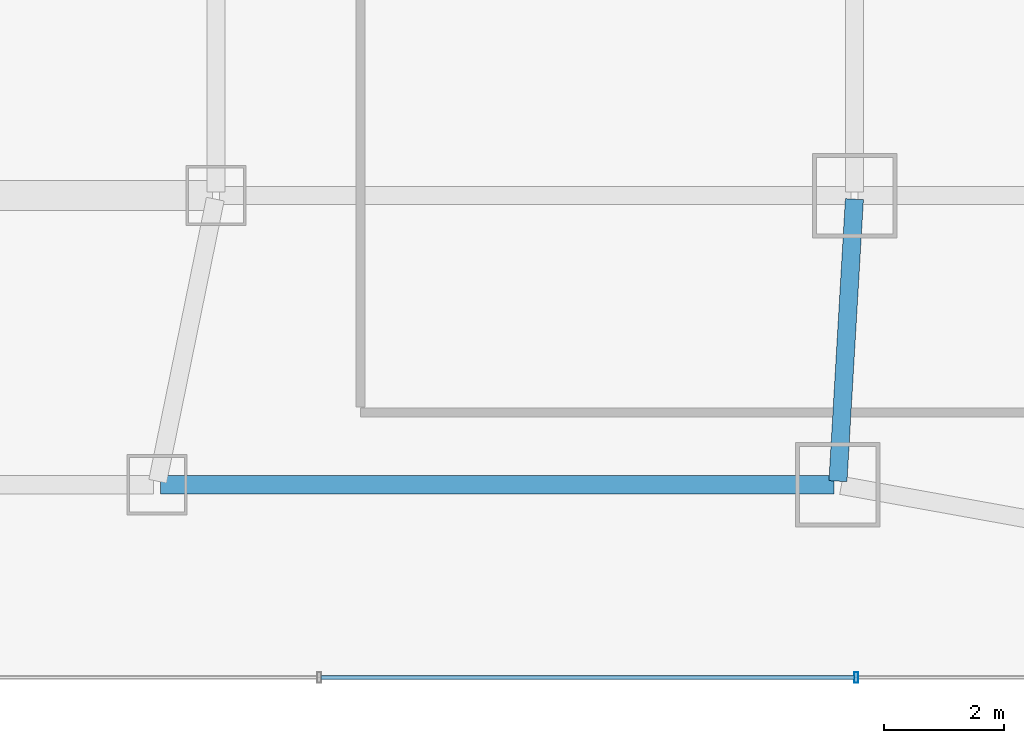
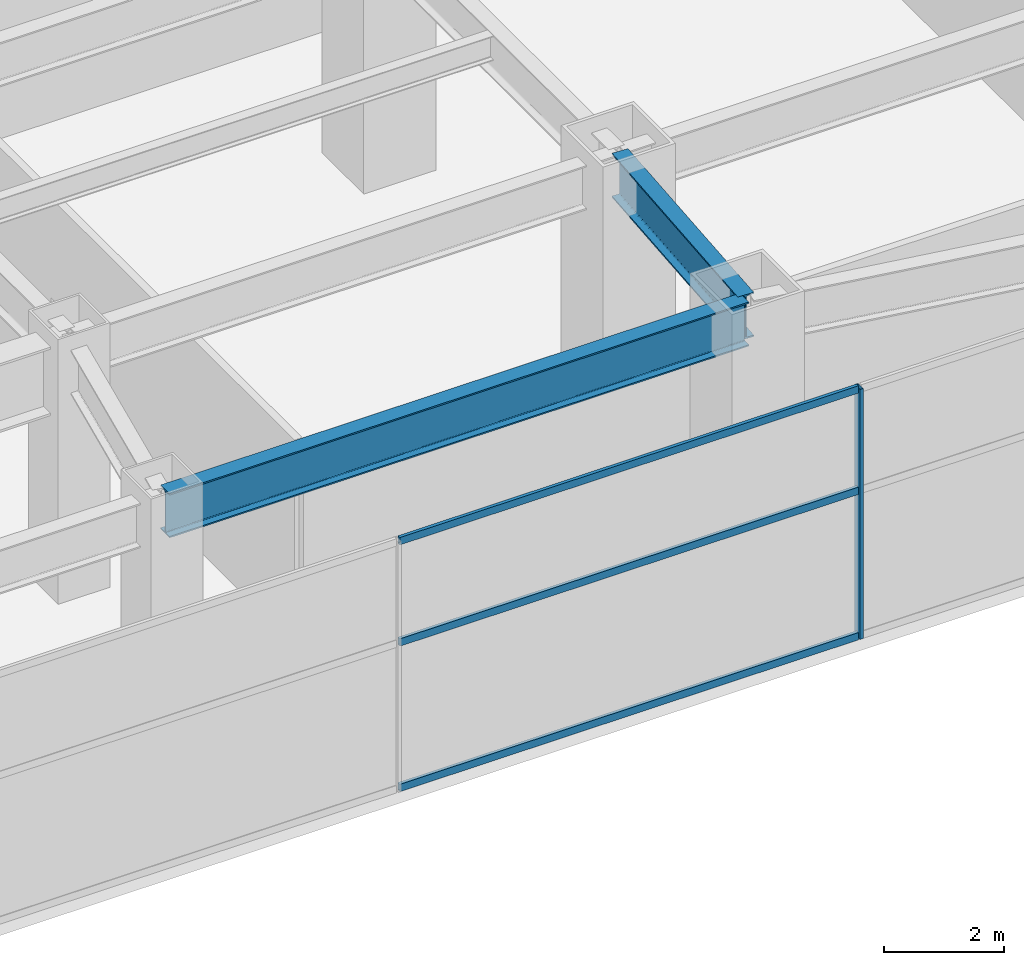
# One storey, part 15 of 52: 4 members, 2 beams, 1 element without a shape of its own.
"""IFC4 building model written with IfcOpenShell, lengths in metres."""

from ifc_helpers import new_model, si_unit, direction, frame, origin, origin_2d, place, context, subcontext, project, spatial, hollow_rectangle, i_section, extrude, material, material_profile, profile_set, type_object, element, aggregate, save


model = new_model("IFC4")

# Units and contexts
model_context = context("Model", 3, precision=1e-05, world=origin(), true_north=direction((0.0, 1.0)))
body_context = subcontext(model_context, "Body", "Model", "MODEL_VIEW")
ifc_project = project(units=[si_unit("LENGTHUNIT", "METRE"), si_unit("AREAUNIT", "SQUARE_METRE"), si_unit("VOLUMEUNIT", "CUBIC_METRE"), si_unit("PLANEANGLEUNIT", "RADIAN"), si_unit("MASSUNIT", "GRAM", prefix="KILO")], contexts=[model_context])

# Site, building, storey
site_placement = place(None, origin())
site = spatial("IfcSite", under=ifc_project, at=site_placement, CompositionType="ELEMENT")
building_placement = place(site_placement, origin())
building = spatial("IfcBuilding", under=site, at=building_placement, Name="Saevonmaru Cultural Tower", CompositionType="ELEMENT")
storey_placement = place(building_placement, frame((0.0, 0.0, 11.39990234375)))
storey = spatial("IfcBuildingStorey", under=building, at=storey_placement, Name="L02", CompositionType="ELEMENT", Elevation=11.39990234375)

# Beams
ifc_material_1 = material(Name="Steel SM420", Category="steel")
ifc_material_profile_1 = material_profile(ifc_material_1, i_section(OverallWidth=0.300048828125, OverallDepth=0.89990234375, WebThickness=0.01611328125, FlangeThickness=0.028076171875, FilletRadius=0.028076171875, at=origin_2d()), Name="H-900x300x16x28")
ifc_profile_set_1 = profile_set([ifc_material_profile_1], Name="Steel SM420")
beam_type = type_object("IfcBeamType", Name="BM-G-H900", PredefinedType="BEAM", material=ifc_profile_set_1)
beam_1_placement = place(storey_placement, frame((47.5234375, 3.260009765625, 4.650146484375), z_axis=(0.058221363278, 0.998303697708, 0.0), x_axis=(-0.998303697708, 0.058221363278, 0.0)))
element("IfcBeam", 1, at=beam_1_placement, inside=storey, type_object=beam_type, Name="L02 Podium Girder NS4-1", PredefinedType="BEAM", context=body_context, shape_type="SweptSolid", body=[
    extrude(i_section(OverallWidth=0.300048828125, OverallDepth=0.89990234375, WebThickness=0.01611328125, FlangeThickness=0.028076171875, FilletRadius=0.028076171875, at=origin_2d()), origin(), (0.0, 0.0, 1.0), 4.688232421875),
])
beam_2_placement = place(storey_placement, frame((36.280029296875, 3.199951171875, 4.650146484375), z_axis=(1.0, 0.0, 0.0), x_axis=(0.0, 1.0, 0.0)))
element("IfcBeam", 2, at=beam_2_placement, inside=storey, type_object=beam_type, Name="BM-POD-EW-E-0-L02", PredefinedType="BEAM", context=body_context, shape_type="SweptSolid", body=[
    extrude(i_section(OverallWidth=0.300048828125, OverallDepth=0.89990234375, WebThickness=0.01611328125, FlangeThickness=0.028076171875, FilletRadius=0.028076171875, at=origin_2d()), origin(), (0.0, 0.0, 1.0), 11.179931640625),
])

# Curtain wall, members
ifc_material_2 = material(Name="Satin Bronze Anodised Aluminium", Category="aluminium")
curtain_wall_type = type_object("IfcCurtainWallType", Name="CW-POD-GLZ", PredefinedType="NOTDEFINED", material=ifc_material_2)
curtain_wall_placement = place(storey_placement, origin())
curtain_wall = element("IfcCurtainWall", 3, at=curtain_wall_placement, inside=storey, type_object=curtain_wall_type, Name="L02 South Grand Foyer Curtain Wall", PredefinedType="NOTDEFINED")
ifc_material_profile_2 = material_profile(ifc_material_2, hollow_rectangle(XDim=0.06494140625, YDim=0.179931640625, WallThickness=0.00390625, at=origin_2d()), Name="ALU-MULL-180x65x4")
ifc_profile_set_2 = profile_set([ifc_material_profile_2], Name="Satin Bronze Anodised Aluminium")
member_type_1 = type_object("IfcMemberType", Name="ML-CW-180x65", PredefinedType="MULLION", material=ifc_profile_set_2)
member_1_placement = place(storey_placement, frame((47.82666015625, 0.0, 0.0), z_axis=(0.0, 0.0, 1.0), x_axis=(1.0, 0.0, 0.0)))
member_1 = element("IfcMember", 4, at=member_1_placement, type_object=member_type_1, Name="CW-POD-S-L02 mullion 6", PredefinedType="MULLION", context=body_context, shape_type="SweptSolid", body=[
    extrude(hollow_rectangle(XDim=0.06494140625, YDim=0.179931640625, WallThickness=0.00390625, at=origin_2d()), origin(), (0.0, 0.0, 1.0), 5.10009765625),
])
ifc_material_profile_3 = material_profile(ifc_material_2, hollow_rectangle(XDim=0.06494140625, YDim=0.14990234375, WallThickness=0.00390625, at=origin_2d()), Name="ALU-TRAN-150x65x4")
ifc_profile_set_3 = profile_set([ifc_material_profile_3], Name="Satin Bronze Anodised Aluminium")
member_type_2 = type_object("IfcMemberType", Name="TR-CW-150x65", PredefinedType="USERDEFINED", material=ifc_profile_set_3)
member_2_placement = place(storey_placement, frame((38.94580078125, 0.0, 0.03271484375), z_axis=(1.0, 0.0, 0.0), x_axis=(0.0, 1.0, 0.0)))
member_2 = element("IfcMember", 5, at=member_2_placement, type_object=member_type_2, Name="CW-POD-S-L02 transom 5.1", ObjectType="TRANSOM", PredefinedType="USERDEFINED", context=body_context, shape_type="SweptSolid", body=[
    extrude(hollow_rectangle(XDim=0.06494140625, YDim=0.14990234375, WallThickness=0.00390625, at=origin_2d()), origin(), (0.0, 0.0, 1.0), 8.848388671875),
])
member_3_placement = place(storey_placement, frame((38.94580078125, 0.0, 3.0), z_axis=(1.0, 0.0, 0.0), x_axis=(0.0, 1.0, 0.0)))
member_3 = element("IfcMember", 6, at=member_3_placement, type_object=member_type_2, Name="CW-POD-S-L02 transom 5.2", ObjectType="TRANSOM", PredefinedType="USERDEFINED", context=body_context, shape_type="SweptSolid", body=[
    extrude(hollow_rectangle(XDim=0.06494140625, YDim=0.14990234375, WallThickness=0.00390625, at=origin_2d()), origin(), (0.0, 0.0, 1.0), 8.848388671875),
])
member_4_placement = place(storey_placement, frame((38.94580078125, 0.0, 5.067626953125), z_axis=(1.0, 0.0, 0.0), x_axis=(0.0, 1.0, 0.0)))
member_4 = element("IfcMember", 7, at=member_4_placement, type_object=member_type_2, Name="CW-POD-S-L02 transom 5.3", ObjectType="TRANSOM", PredefinedType="USERDEFINED", context=body_context, shape_type="SweptSolid", body=[
    extrude(hollow_rectangle(XDim=0.06494140625, YDim=0.14990234375, WallThickness=0.00390625, at=origin_2d()), origin(), (0.0, 0.0, 1.0), 8.848388671875),
])
aggregate(curtain_wall, [member_1, member_2, member_3, member_4])

save(model, "model.ifc")
